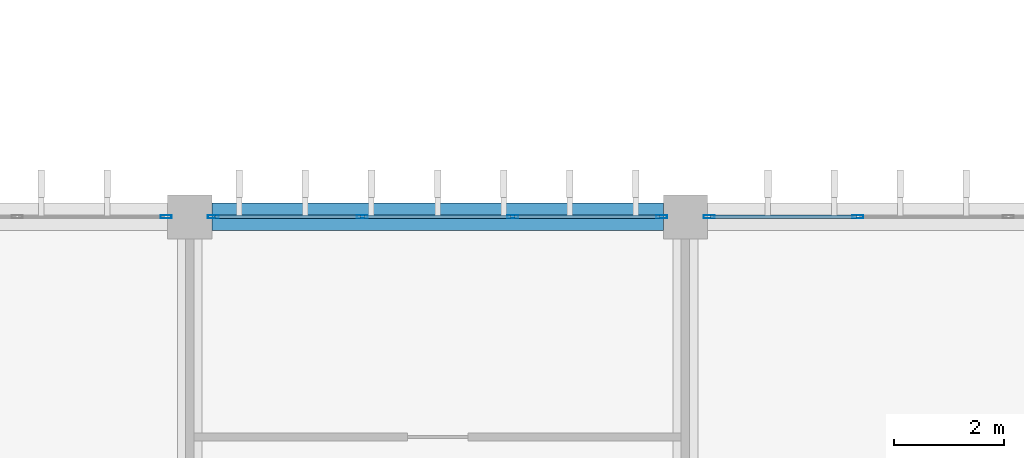
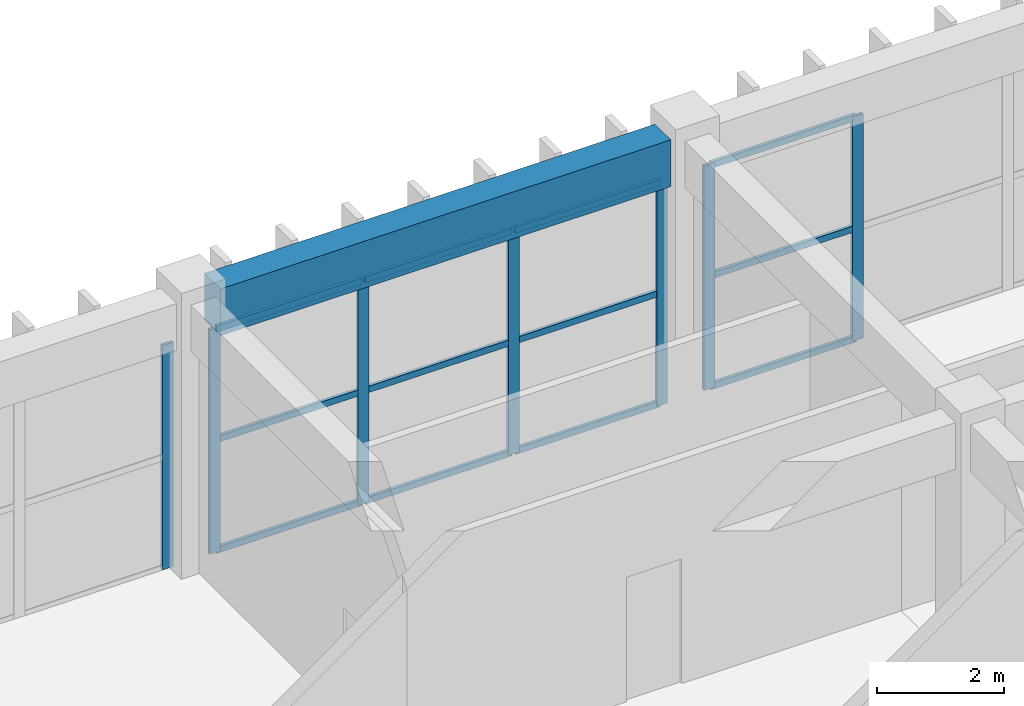
# One storey, part 81 of 185: 19 members, 1 beam, 3 elements without a shape of their own.
"""IFC4 building model written with IfcOpenShell, lengths in metres."""

from ifc_helpers import new_model, si_unit, direction, frame, origin, origin_2d, place, context, subcontext, project, spatial, rectangle, hollow_rectangle, extrude, material, layer, layer_set, material_profile, profile_set, type_object, element, aggregate, save


model = new_model("IFC4")

# Units and contexts
model_context = context("Model", 3, precision=1e-05, world=origin(), true_north=direction((0.0, 1.0)))
body_context = subcontext(model_context, "Body", "Model", "MODEL_VIEW")
ifc_project = project(units=[si_unit("LENGTHUNIT", "METRE"), si_unit("AREAUNIT", "SQUARE_METRE"), si_unit("VOLUMEUNIT", "CUBIC_METRE"), si_unit("PLANEANGLEUNIT", "RADIAN"), si_unit("MASSUNIT", "GRAM", prefix="KILO")], contexts=[model_context])

# Site, building, storey
site_placement = place(None, origin())
site = spatial("IfcSite", under=ifc_project, at=site_placement, CompositionType="ELEMENT")
building_placement = place(site_placement, origin())
building = spatial("IfcBuilding", under=site, at=building_placement, Name="Opaline Strait Convention Centre", CompositionType="ELEMENT")
storey_placement = place(building_placement, frame((0.0, 0.0, 6.0)))
storey = spatial("IfcBuildingStorey", under=building, at=storey_placement, Name="L01", CompositionType="ELEMENT", Elevation=6.0)

# Curtain wall, member
ifc_material_1 = material(Name="Aluminium framed double glazing", Category="aluminium")
ifc_layer = layer(ifc_material_1, 0.199951171875)
ifc_layer_set = layer_set([ifc_layer], Name="Aluminium framed double glazing")
curtain_wall_type = type_object("IfcCurtainWallType", Name="Curtain wall 3000 module unitised", PredefinedType="NOTDEFINED", material=ifc_layer_set)
curtain_wall_1_placement = place(storey_placement, origin())
curtain_wall_1 = element("IfcCurtainWall", 1, at=curtain_wall_1_placement, inside=storey, type_object=curtain_wall_type, Name="Curtain wall N L01 35/W", PredefinedType="NOTDEFINED")
ifc_material_2 = material(Name="Aluminium alloy 6063", Category="aluminium")
ifc_material_profile_1 = material_profile(ifc_material_2, hollow_rectangle(XDim=0.06005859375, YDim=0.199951171875, WallThickness=0.00390625, at=origin_2d()), Name="MULLION 60x200x4")
ifc_profile_set_1 = profile_set([ifc_material_profile_1], Name="Aluminium alloy 6063")
member_type_1 = type_object("IfcMemberType", Name="Curtain wall mullion 60 x 200", PredefinedType="MULLION", material=ifc_profile_set_1)
member_1_placement = place(storey_placement, frame((314.570068359375, 180.0, 0.0), z_axis=(0.0, 0.0, 1.0), x_axis=(0.0, 1.0, 0.0)))
member_1 = element("IfcMember", 2, at=member_1_placement, type_object=member_type_1, Name="MCWR1 mullion 4", PredefinedType="MULLION", context=body_context, shape_type="SweptSolid", body=[
    extrude(hollow_rectangle(XDim=0.06005859375, YDim=0.199951171875, WallThickness=0.00390625, at=origin_2d()), origin(), (0.0, 0.0, 1.0), 4.320068359375),
])
aggregate(curtain_wall_1, [member_1])

# Curtain wall, members
curtain_wall_2_placement = place(storey_placement, origin())
curtain_wall_2 = element("IfcCurtainWall", 3, at=curtain_wall_2_placement, inside=storey, type_object=curtain_wall_type, Name="Curtain wall N L01 36/W", PredefinedType="NOTDEFINED")
member_2_placement = place(storey_placement, frame((315.429931640625, 180.0, 0.0), z_axis=(0.0, 0.0, 1.0), x_axis=(0.0, 1.0, 0.0)))
member_2 = element("IfcMember", 4, at=member_2_placement, type_object=member_type_1, Name="MCWR1 mullion 1", PredefinedType="MULLION", context=body_context, shape_type="SweptSolid", body=[
    extrude(hollow_rectangle(XDim=0.06005859375, YDim=0.199951171875, WallThickness=0.00390625, at=origin_2d()), origin(), (0.0, 0.0, 1.0), 4.320068359375),
])
member_3_placement = place(storey_placement, frame((318.13330078125, 180.0, 0.0), z_axis=(0.0, 0.0, 1.0), x_axis=(0.0, 1.0, 0.0)))
member_3 = element("IfcMember", 5, at=member_3_placement, type_object=member_type_1, Name="MCWR1 mullion 2", PredefinedType="MULLION", context=body_context, shape_type="SweptSolid", body=[
    extrude(hollow_rectangle(XDim=0.06005859375, YDim=0.199951171875, WallThickness=0.00390625, at=origin_2d()), origin(), (0.0, 0.0, 1.0), 4.320068359375),
])
member_4_placement = place(storey_placement, frame((320.86669921875, 180.0, 0.0), z_axis=(0.0, 0.0, 1.0), x_axis=(0.0, 1.0, 0.0)))
member_4 = element("IfcMember", 6, at=member_4_placement, type_object=member_type_1, Name="MCWR1 mullion 3", PredefinedType="MULLION", context=body_context, shape_type="SweptSolid", body=[
    extrude(hollow_rectangle(XDim=0.06005859375, YDim=0.199951171875, WallThickness=0.00390625, at=origin_2d()), origin(), (0.0, 0.0, 1.0), 4.320068359375),
])
member_5_placement = place(storey_placement, frame((323.570068359375, 180.0, 0.0), z_axis=(0.0, 0.0, 1.0), x_axis=(0.0, 1.0, 0.0)))
member_5 = element("IfcMember", 7, at=member_5_placement, type_object=member_type_1, Name="MCWR1 mullion 4", PredefinedType="MULLION", context=body_context, shape_type="SweptSolid", body=[
    extrude(hollow_rectangle(XDim=0.06005859375, YDim=0.199951171875, WallThickness=0.00390625, at=origin_2d()), origin(), (0.0, 0.0, 1.0), 4.320068359375),
])

curtain_wall_3_placement = place(storey_placement, origin())
curtain_wall_3 = element("IfcCurtainWall", 8, at=curtain_wall_3_placement, inside=storey, type_object=curtain_wall_type, Name="Curtain wall N L01 37/W", PredefinedType="NOTDEFINED")
member_6_placement = place(storey_placement, frame((324.429931640625, 180.0, 0.0), z_axis=(0.0, 0.0, 1.0), x_axis=(0.0, 1.0, 0.0)))
member_6 = element("IfcMember", 9, at=member_6_placement, type_object=member_type_1, Name="MCWR1 mullion 1", PredefinedType="MULLION", context=body_context, shape_type="SweptSolid", body=[
    extrude(hollow_rectangle(XDim=0.06005859375, YDim=0.199951171875, WallThickness=0.00390625, at=origin_2d()), origin(), (0.0, 0.0, 1.0), 4.320068359375),
])
member_7_placement = place(storey_placement, frame((327.13330078125, 180.0, 0.0), z_axis=(0.0, 0.0, 1.0), x_axis=(0.0, 1.0, 0.0)))
member_7 = element("IfcMember", 10, at=member_7_placement, type_object=member_type_1, Name="MCWR1 mullion 2", PredefinedType="MULLION", context=body_context, shape_type="SweptSolid", body=[
    extrude(hollow_rectangle(XDim=0.06005859375, YDim=0.199951171875, WallThickness=0.00390625, at=origin_2d()), origin(), (0.0, 0.0, 1.0), 4.320068359375),
])

# Member
ifc_material_profile_2 = material_profile(ifc_material_2, hollow_rectangle(XDim=0.06005859375, YDim=0.1201171875, WallThickness=0.0029296875, at=origin_2d()), Name="TRANSOM 60x120x3")
ifc_profile_set_2 = profile_set([ifc_material_profile_2], Name="Aluminium alloy 6063")
member_type_2 = type_object("IfcMemberType", Name="Curtain wall transom 60 x 120", PredefinedType="USERDEFINED", material=ifc_profile_set_2)
member_8_placement = place(storey_placement, frame((315.4599609375, 180.0, 0.030029296875), z_axis=(1.0, 0.0, 0.0), x_axis=(0.0, 1.0, 0.0)))
member_8 = element("IfcMember", 11, at=member_8_placement, type_object=member_type_2, Name="MCWR1 transom 1.1", ObjectType="TRANSOM", PredefinedType="USERDEFINED", context=body_context, shape_type="SweptSolid", body=[
    extrude(hollow_rectangle(XDim=0.06005859375, YDim=0.1201171875, WallThickness=0.0029296875, at=origin_2d()), origin(), (0.0, 0.0, 1.0), 2.643310546875),
])

member_9_placement = place(storey_placement, frame((315.4599609375, 180.0, 2.159912109375), z_axis=(1.0, 0.0, 0.0), x_axis=(0.0, 1.0, 0.0)))
member_9 = element("IfcMember", 12, at=member_9_placement, type_object=member_type_2, Name="MCWR1 transom 1.2", ObjectType="TRANSOM", PredefinedType="USERDEFINED", context=body_context, shape_type="SweptSolid", body=[
    extrude(hollow_rectangle(XDim=0.06005859375, YDim=0.1201171875, WallThickness=0.0029296875, at=origin_2d()), origin(), (0.0, 0.0, 1.0), 2.643310546875),
])

member_10_placement = place(storey_placement, frame((315.4599609375, 180.0, 4.2900390625), z_axis=(1.0, 0.0, 0.0), x_axis=(0.0, 1.0, 0.0)))
member_10 = element("IfcMember", 13, at=member_10_placement, type_object=member_type_2, Name="MCWR1 transom 1.3", ObjectType="TRANSOM", PredefinedType="USERDEFINED", context=body_context, shape_type="SweptSolid", body=[
    extrude(hollow_rectangle(XDim=0.06005859375, YDim=0.1201171875, WallThickness=0.0029296875, at=origin_2d()), origin(), (0.0, 0.0, 1.0), 2.643310546875),
])

member_11_placement = place(storey_placement, frame((318.163330078125, 180.0, 0.030029296875), z_axis=(1.0, 0.0, 0.0), x_axis=(0.0, 1.0, 0.0)))
member_11 = element("IfcMember", 14, at=member_11_placement, type_object=member_type_2, Name="MCWR1 transom 2.1", ObjectType="TRANSOM", PredefinedType="USERDEFINED", context=body_context, shape_type="SweptSolid", body=[
    extrude(hollow_rectangle(XDim=0.06005859375, YDim=0.1201171875, WallThickness=0.0029296875, at=origin_2d()), origin(), (0.0, 0.0, 1.0), 2.67333984375),
])

member_12_placement = place(storey_placement, frame((318.163330078125, 180.0, 2.159912109375), z_axis=(1.0, 0.0, 0.0), x_axis=(0.0, 1.0, 0.0)))
member_12 = element("IfcMember", 15, at=member_12_placement, type_object=member_type_2, Name="MCWR1 transom 2.2", ObjectType="TRANSOM", PredefinedType="USERDEFINED", context=body_context, shape_type="SweptSolid", body=[
    extrude(hollow_rectangle(XDim=0.06005859375, YDim=0.1201171875, WallThickness=0.0029296875, at=origin_2d()), origin(), (0.0, 0.0, 1.0), 2.67333984375),
])

member_13_placement = place(storey_placement, frame((318.163330078125, 180.0, 4.2900390625), z_axis=(1.0, 0.0, 0.0), x_axis=(0.0, 1.0, 0.0)))
member_13 = element("IfcMember", 16, at=member_13_placement, type_object=member_type_2, Name="MCWR1 transom 2.3", ObjectType="TRANSOM", PredefinedType="USERDEFINED", context=body_context, shape_type="SweptSolid", body=[
    extrude(hollow_rectangle(XDim=0.06005859375, YDim=0.1201171875, WallThickness=0.0029296875, at=origin_2d()), origin(), (0.0, 0.0, 1.0), 2.67333984375),
])

member_14_placement = place(storey_placement, frame((320.896728515625, 180.0, 0.030029296875), z_axis=(1.0, 0.0, 0.0), x_axis=(0.0, 1.0, 0.0)))
member_14 = element("IfcMember", 17, at=member_14_placement, type_object=member_type_2, Name="MCWR1 transom 3.1", ObjectType="TRANSOM", PredefinedType="USERDEFINED", context=body_context, shape_type="SweptSolid", body=[
    extrude(hollow_rectangle(XDim=0.06005859375, YDim=0.1201171875, WallThickness=0.0029296875, at=origin_2d()), origin(), (0.0, 0.0, 1.0), 2.643310546875),
])

member_15_placement = place(storey_placement, frame((320.896728515625, 180.0, 2.159912109375), z_axis=(1.0, 0.0, 0.0), x_axis=(0.0, 1.0, 0.0)))
member_15 = element("IfcMember", 18, at=member_15_placement, type_object=member_type_2, Name="MCWR1 transom 3.2", ObjectType="TRANSOM", PredefinedType="USERDEFINED", context=body_context, shape_type="SweptSolid", body=[
    extrude(hollow_rectangle(XDim=0.06005859375, YDim=0.1201171875, WallThickness=0.0029296875, at=origin_2d()), origin(), (0.0, 0.0, 1.0), 2.643310546875),
])

member_16_placement = place(storey_placement, frame((320.896728515625, 180.0, 4.2900390625), z_axis=(1.0, 0.0, 0.0), x_axis=(0.0, 1.0, 0.0)))
member_16 = element("IfcMember", 19, at=member_16_placement, type_object=member_type_2, Name="MCWR1 transom 3.3", ObjectType="TRANSOM", PredefinedType="USERDEFINED", context=body_context, shape_type="SweptSolid", body=[
    extrude(hollow_rectangle(XDim=0.06005859375, YDim=0.1201171875, WallThickness=0.0029296875, at=origin_2d()), origin(), (0.0, 0.0, 1.0), 2.643310546875),
])

aggregate(curtain_wall_2, [member_2, member_3, member_4, member_5, member_8, member_9, member_10, member_11, member_12, member_13, member_14, member_15, member_16])

member_17_placement = place(storey_placement, frame((324.4599609375, 180.0, 0.030029296875), z_axis=(1.0, 0.0, 0.0), x_axis=(0.0, 1.0, 0.0)))
member_17 = element("IfcMember", 20, at=member_17_placement, type_object=member_type_2, Name="MCWR1 transom 1.1", ObjectType="TRANSOM", PredefinedType="USERDEFINED", context=body_context, shape_type="SweptSolid", body=[
    extrude(hollow_rectangle(XDim=0.06005859375, YDim=0.1201171875, WallThickness=0.0029296875, at=origin_2d()), origin(), (0.0, 0.0, 1.0), 2.643310546875),
])

member_18_placement = place(storey_placement, frame((324.4599609375, 180.0, 2.159912109375), z_axis=(1.0, 0.0, 0.0), x_axis=(0.0, 1.0, 0.0)))
member_18 = element("IfcMember", 21, at=member_18_placement, type_object=member_type_2, Name="MCWR1 transom 1.2", ObjectType="TRANSOM", PredefinedType="USERDEFINED", context=body_context, shape_type="SweptSolid", body=[
    extrude(hollow_rectangle(XDim=0.06005859375, YDim=0.1201171875, WallThickness=0.0029296875, at=origin_2d()), origin(), (0.0, 0.0, 1.0), 2.643310546875),
])

member_19_placement = place(storey_placement, frame((324.4599609375, 180.0, 4.2900390625), z_axis=(1.0, 0.0, 0.0), x_axis=(0.0, 1.0, 0.0)))
member_19 = element("IfcMember", 22, at=member_19_placement, type_object=member_type_2, Name="MCWR1 transom 1.3", ObjectType="TRANSOM", PredefinedType="USERDEFINED", context=body_context, shape_type="SweptSolid", body=[
    extrude(hollow_rectangle(XDim=0.06005859375, YDim=0.1201171875, WallThickness=0.0029296875, at=origin_2d()), origin(), (0.0, 0.0, 1.0), 2.643310546875),
])

aggregate(curtain_wall_3, [member_6, member_7, member_17, member_18, member_19])

# Beam
ifc_material_3 = material(Name="Concrete C35", Category="concrete")
ifc_material_profile_3 = material_profile(ifc_material_3, rectangle(XDim=0.5, YDim=0.89990234375, at=origin_2d()), Name="RC 500x900")
ifc_profile_set_3 = profile_set([ifc_material_profile_3], Name="Concrete C35")
beam_type = type_object("IfcBeamType", Name="RC edge beam 500x900 C35", PredefinedType="BEAM", material=ifc_profile_set_3)
beam_placement = place(storey_placement, frame((315.39990234375, 180.0, 4.77001953125), z_axis=(1.0, 0.0, 0.0), x_axis=(0.0, 1.0, 0.0)))
element("IfcBeam", 23, at=beam_placement, inside=storey, type_object=beam_type, Name="MRB2 L01 36/W-37/W", PredefinedType="BEAM", context=body_context, shape_type="SweptSolid", body=[
    extrude(rectangle(XDim=0.5, YDim=0.89990234375, at=origin_2d()), origin(), (0.0, 0.0, 1.0), 8.2001953125),
])

save(model, "model.ifc")
